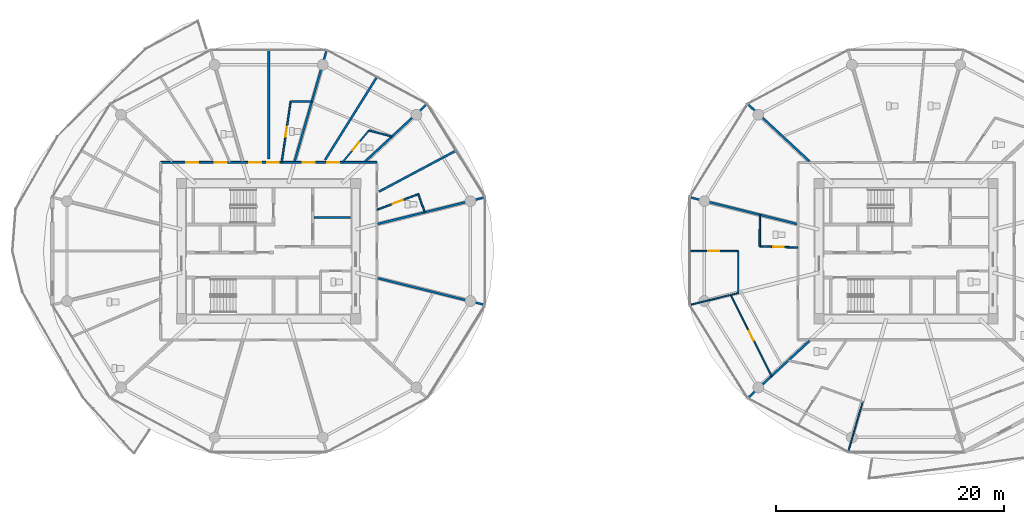
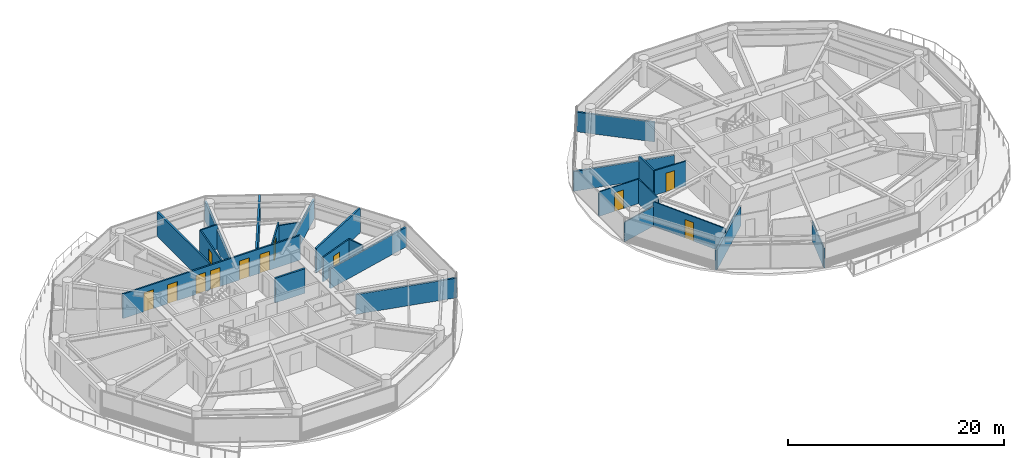
# One storey, part 17 of 27: 25 walls, 12 doors, 12 openings.
"""IFC4 building model written with IfcOpenShell, lengths in metres."""

from ifc_helpers import new_model, si_unit, direction, frame, frame_2d, origin, place, context, subcontext, project, spatial, rectangle, extrude, source, transform, mapped, material, layer, layer_set, type_object, type_shapes, element, fill, save


model = new_model("IFC4")

# Units and contexts
model_context = context("Model", 3, precision=1e-05, world=origin(), true_north=direction((0.0, 1.0)))
body_context = subcontext(model_context, "Body", "Model", "MODEL_VIEW")
ifc_project = project(units=[si_unit("LENGTHUNIT", "METRE"), si_unit("AREAUNIT", "SQUARE_METRE"), si_unit("VOLUMEUNIT", "CUBIC_METRE"), si_unit("PLANEANGLEUNIT", "RADIAN"), si_unit("MASSUNIT", "GRAM", prefix="KILO")], contexts=[model_context])

# Site, building, storey
site_placement = place(None, origin())
site = spatial("IfcSite", under=ifc_project, at=site_placement, CompositionType="ELEMENT")
building_placement = place(site_placement, origin())
building = spatial("IfcBuilding", under=site, at=building_placement, Name="Norrkilde Senior Care Towers", CompositionType="ELEMENT")
storey_placement = place(building_placement, frame((0.0, 0.0, 36.85009765625)))
storey = spatial("IfcBuildingStorey", under=building, at=storey_placement, Name="L10", CompositionType="ELEMENT", Elevation=36.85009765625)

# Wall
ifc_material_1 = material(Name="Concrete C45/55", Category="concrete")
ifc_layer_1 = layer(ifc_material_1, 0.199951171875)
ifc_layer_set_1 = layer_set([ifc_layer_1], Name="Concrete C45/55")
wall_type_1 = type_object("IfcWallType", Name="Shaft Division and Plant Partition 200", PredefinedType="PARTITIONING", material=ifc_layer_set_1)
shared_shape_1 = source(origin(), body_context, "Body", "SweptSolid", [
    extrude(rectangle(XDim=3.199951171875, YDim=0.199951171875, at=frame_2d((1.60009765625, 0.0))), origin(), (0.0, 0.0, 1.0), 2.77490234375),
])
type_shapes(wall_type_1, [shared_shape_1])
wall_1_placement = place(storey_placement, frame((-24.0, 2.949951171875, 0.0), z_axis=(0.0, 0.0, 1.0), x_axis=(1.0, 0.0, 0.0)))
element("IfcWall", 1, at=wall_1_placement, inside=storey, type_object=wall_type_1, Name="WL-INT-L10-W-FFLDIV", PredefinedType="PARTITIONING", context=body_context, shape_type="MappedRepresentation", body=[
    mapped(shared_shape_1, transform((0.0, 0.0, 0.0), x_axis=(1.0, 0.0, 0.0), y_axis=(0.0, 1.0, 0.0), z_axis=(0.0, 0.0, 1.0), scale=1.0)),
])

# Wall, openings, doors
ifc_material_2 = material(Name="Gypsum Acoustic Board")
ifc_layer_2 = layer(ifc_material_2, 0.1650390625)
ifc_layer_set_2 = layer_set([ifc_layer_2], Name="Gypsum Acoustic Board")
wall_type_2 = type_object("IfcWallType", Name="Corridor Rated Partition 165", PredefinedType="PARTITIONING", material=ifc_layer_set_2)
shared_shape_2 = source(origin(), body_context, "Body", "SweptSolid", [
    extrude(rectangle(XDim=19.0, YDim=0.1650390625, at=frame_2d((9.5, 0.0))), origin(), (0.0, 0.0, 1.0), 2.77490234375),
])
type_shapes(wall_type_2, [shared_shape_2])
wall_2_placement = place(storey_placement, frame((-37.5, 7.800048828125, 0.0), z_axis=(0.0, 0.0, 1.0), x_axis=(1.0, 0.0, 0.0)))
wall_2 = element("IfcWall", 2, at=wall_2_placement, inside=storey, type_object=wall_type_2, Name="WL-INT-L10-W-CRW-N-0", PredefinedType="PARTITIONING", context=body_context, shape_type="MappedRepresentation", body=[
    mapped(shared_shape_2, transform((0.0, 0.0, 0.0), x_axis=(1.0, 0.0, 0.0), y_axis=(0.0, 1.0, 0.0), z_axis=(0.0, 0.0, 1.0), scale=1.0)),
])
opening_1_placement = place(wall_2_placement, frame((9.351806640625, 0.0, 0.0)))
opening_1 = element("IfcOpeningElement", 3, at=opening_1_placement, cuts=wall_2, Name="Opening D-06", PredefinedType="OPENING", context=body_context, shape_type="SweptSolid", body=[
    extrude(rectangle(XDim=1.050048828125, YDim=2.14990234375, at=frame_2d((0.52490234375, 1.074951171875))), frame((0.0, 0.092529296875, 0.0), z_axis=(0.0, -1.0, 0.0), x_axis=(1.0, 0.0, 0.0)), (0.0, 0.0, 1.0), 0.18505859375),
])
opening_2_placement = place(wall_2_placement, frame((7.806396484375, 0.0, 0.0)))
opening_2 = element("IfcOpeningElement", 4, at=opening_2_placement, cuts=wall_2, Name="Opening D-06", PredefinedType="OPENING", context=body_context, shape_type="SweptSolid", body=[
    extrude(rectangle(XDim=1.050048828125, YDim=2.14990234375, at=frame_2d((0.52490234375, 1.074951171875))), frame((0.0, 0.092529296875, 0.0), z_axis=(0.0, -1.0, 0.0), x_axis=(1.0, 0.0, 0.0)), (0.0, 0.0, 1.0), 0.18505859375),
])
opening_3_placement = place(wall_2_placement, frame((4.77294921875, 0.0, 0.0)))
opening_3 = element("IfcOpeningElement", 5, at=opening_3_placement, cuts=wall_2, Name="Opening D-06", PredefinedType="OPENING", context=body_context, shape_type="SweptSolid", body=[
    extrude(rectangle(XDim=1.050048828125, YDim=2.14990234375, at=frame_2d((0.52490234375, 1.074951171875))), frame((0.0, 0.092529296875, 0.0), z_axis=(0.0, -1.0, 0.0), x_axis=(1.0, 0.0, 0.0)), (0.0, 0.0, 1.0), 0.18505859375),
])
opening_4_placement = place(wall_2_placement, frame((2.251220703125, 0.0, 0.0)))
opening_4 = element("IfcOpeningElement", 6, at=opening_4_placement, cuts=wall_2, Name="Opening D-06", PredefinedType="OPENING", context=body_context, shape_type="SweptSolid", body=[
    extrude(rectangle(XDim=1.050048828125, YDim=2.14990234375, at=frame_2d((0.52490234375, 1.074951171875))), frame((0.0, 0.092529296875, 0.0), z_axis=(0.0, -1.0, 0.0), x_axis=(1.0, 0.0, 0.0)), (0.0, 0.0, 1.0), 0.18505859375),
])
opening_5_placement = place(wall_2_placement, frame((14.6533203125, 0.0, 0.0)))
opening_5 = element("IfcOpeningElement", 7, at=opening_5_placement, cuts=wall_2, Name="Opening D-06", PredefinedType="OPENING", context=body_context, shape_type="SweptSolid", body=[
    extrude(rectangle(XDim=1.050048828125, YDim=2.14990234375, at=frame_2d((0.52490234375, 1.074951171875))), frame((0.0, 0.092529296875, 0.0), z_axis=(0.0, -1.0, 0.0), x_axis=(1.0, 0.0, 0.0)), (0.0, 0.0, 1.0), 0.18505859375),
])
opening_6_placement = place(wall_2_placement, frame((12.499755859375, 0.0, 0.0)))
opening_6 = element("IfcOpeningElement", 8, at=opening_6_placement, cuts=wall_2, Name="Opening D-06", PredefinedType="OPENING", context=body_context, shape_type="SweptSolid", body=[
    extrude(rectangle(XDim=1.050048828125, YDim=2.14990234375, at=frame_2d((0.52490234375, 1.074951171875))), frame((0.0, 0.092529296875, 0.0), z_axis=(0.0, -1.0, 0.0), x_axis=(1.0, 0.0, 0.0)), (0.0, 0.0, 1.0), 0.18505859375),
])
ifc_material_3 = material(Name="Nordic Ash Timber", Category="wood")
door_type_1 = type_object("IfcDoorType", Name="Apartment Entrance Fire Door 1050x2150", OperationType="NOTDEFINED", PredefinedType="DOOR", material=ifc_material_3)
shared_shape_3 = source(origin(), body_context, "Body", "SweptSolid", [
    extrude(rectangle(XDim=1.050048828125, YDim=2.14990234375, at=frame_2d((0.52490234375, 1.074951171875))), frame((0.0, 0.02490234375, 0.0), z_axis=(0.0, -1.0, 0.0), x_axis=(1.0, 0.0, 0.0)), (0.0, 0.0, 1.0), 0.050048828125),
])
type_shapes(door_type_1, [shared_shape_3])
door_1_placement = place(opening_1_placement, frame((1.050048828125, 0.0, 0.0), z_axis=(0.0, 0.0, 1.0), x_axis=(-1.0, 0.0, 0.0)))
door_1 = element("IfcDoor", 9, at=door_1_placement, inside=storey, type_object=door_type_1, Name="L10 Care Suite 1002A Entrance Door", OperationType="SINGLE_SWING_LEFT", OverallHeight=2.14990234375, OverallWidth=1.050048828125, PredefinedType="DOOR", context=body_context, shape_type="MappedRepresentation", body=[
    mapped(shared_shape_3, transform((0.0, 0.0, 0.0), x_axis=(1.0, 0.0, 0.0), y_axis=(0.0, 1.0, 0.0), z_axis=(0.0, 0.0, 1.0), scale=1.0)),
])
fill(opening_1, door_1)
door_2_placement = place(opening_2_placement, frame((1.050048828125, 0.0, 0.0), z_axis=(0.0, 0.0, 1.0), x_axis=(-1.0, 0.0, 0.0)))
door_2 = element("IfcDoor", 10, at=door_2_placement, inside=storey, type_object=door_type_1, Name="L10 Therapy Day Lounge 02 Door", OperationType="SINGLE_SWING_RIGHT", OverallHeight=2.14990234375, OverallWidth=1.050048828125, PredefinedType="DOOR", context=body_context, shape_type="MappedRepresentation", body=[
    mapped(shared_shape_3, transform((0.0, 0.0, 0.0), x_axis=(1.0, 0.0, 0.0), y_axis=(0.0, 1.0, 0.0), z_axis=(0.0, 0.0, 1.0), scale=1.0)),
])
fill(opening_2, door_2)
door_3_placement = place(opening_3_placement, frame((1.050048828125, 0.0, 0.0), z_axis=(0.0, 0.0, 1.0), x_axis=(-1.0, 0.0, 0.0)))
door_3 = element("IfcDoor", 11, at=door_3_placement, inside=storey, type_object=door_type_1, Name="L10 Care Suite 1003A Entrance Door", OperationType="SINGLE_SWING_RIGHT", OverallHeight=2.14990234375, OverallWidth=1.050048828125, PredefinedType="DOOR", context=body_context, shape_type="MappedRepresentation", body=[
    mapped(shared_shape_3, transform((0.0, 0.0, 0.0), x_axis=(1.0, 0.0, 0.0), y_axis=(0.0, 1.0, 0.0), z_axis=(0.0, 0.0, 1.0), scale=1.0)),
])
fill(opening_3, door_3)
door_4_placement = place(opening_4_placement, frame((1.050048828125, 0.0, 0.0), z_axis=(0.0, 0.0, 1.0), x_axis=(-1.0, 0.0, 0.0)))
door_4 = element("IfcDoor", 12, at=door_4_placement, inside=storey, type_object=door_type_1, Name="L10 Therapy Day Lounge 03 Door", OperationType="SINGLE_SWING_LEFT", OverallHeight=2.14990234375, OverallWidth=1.050048828125, PredefinedType="DOOR", context=body_context, shape_type="MappedRepresentation", body=[
    mapped(shared_shape_3, transform((0.0, 0.0, 0.0), x_axis=(1.0, 0.0, 0.0), y_axis=(0.0, 1.0, 0.0), z_axis=(0.0, 0.0, 1.0), scale=1.0)),
])
fill(opening_4, door_4)
door_5_placement = place(opening_5_placement, frame((1.050048828125, 0.0, 0.0), z_axis=(0.0, 0.0, 1.0), x_axis=(-1.0, 0.0, 0.0)))
door_5 = element("IfcDoor", 13, at=door_5_placement, inside=storey, type_object=door_type_1, Name="L10 Care Suite 1001A Entrance Door", OperationType="SINGLE_SWING_RIGHT", OverallHeight=2.14990234375, OverallWidth=1.050048828125, PredefinedType="DOOR", context=body_context, shape_type="MappedRepresentation", body=[
    mapped(shared_shape_3, transform((0.0, 0.0, 0.0), x_axis=(1.0, 0.0, 0.0), y_axis=(0.0, 1.0, 0.0), z_axis=(0.0, 0.0, 1.0), scale=1.0)),
])
fill(opening_5, door_5)
door_6_placement = place(opening_6_placement, frame((1.050048828125, 0.0, 0.0), z_axis=(0.0, 0.0, 1.0), x_axis=(-1.0, 0.0, 0.0)))
door_6 = element("IfcDoor", 14, at=door_6_placement, inside=storey, type_object=door_type_1, Name="L10 Therapy Day Lounge 01 Door", OperationType="SINGLE_SWING_LEFT", OverallHeight=2.14990234375, OverallWidth=1.050048828125, PredefinedType="DOOR", context=body_context, shape_type="MappedRepresentation", body=[
    mapped(shared_shape_3, transform((0.0, 0.0, 0.0), x_axis=(1.0, 0.0, 0.0), y_axis=(0.0, 1.0, 0.0), z_axis=(0.0, 0.0, 1.0), scale=1.0)),
])
fill(opening_6, door_6)

# Walls
ifc_layer_3 = layer(ifc_material_2, 0.18994140625)
ifc_layer_set_3 = layer_set([ifc_layer_3], Name="Gypsum Acoustic Board")
wall_type_3 = type_object("IfcWallType", Name="Unit Demising Acoustic Wall 190", PredefinedType="PARTITIONING", material=ifc_layer_set_3)
shared_shape_4 = source(origin(), body_context, "Body", "SweptSolid", [
    extrude(rectangle(XDim=7.4345703125, YDim=0.18994140625, at=frame_2d((3.71728515625, 0.0))), origin(), (0.0, 0.0, 1.0), 2.224853515625),
])
for number, where, z_axis, x_axis, name in (
    (15, (-19.51708984375, 7.8798828125, 0.0), (0.0, 0.0, 1.0), (0.732651956848, 0.680603489652, 0.0), "WL-INT-L10-W-DEM-01-0"),
    (16, (19.51708984375, 7.8798828125, 0.0), (0.0, 0.0, 1.0), (-0.732651956848, 0.680603489652, 0.0), "WL-INT-L10-E-DEM-04-0"),
    (17, (19.51708984375, -7.8798828125, 0.0), (0.0, 0.0, 1.0), (-0.732651956848, -0.680603489652, 0.0), "WL-INT-L10-E-DEM-07-0"),
):
    element("IfcWall", number, at=place(storey_placement, frame(where, z_axis=z_axis, x_axis=x_axis)), inside=storey, type_object=wall_type_3, Name=name, PredefinedType="PARTITIONING", context=body_context, shape_type="MappedRepresentation", body=[
        mapped(shared_shape_4, transform((0.0, 0.0, 0.0), x_axis=(1.0, 0.0, 0.0), y_axis=(0.0, 1.0, 0.0), z_axis=(0.0, 0.0, 1.0), scale=1.0)),
    ])
shared_shape_5 = source(origin(), body_context, "Body", "SweptSolid", [
    extrude(rectangle(XDim=10.196044921875, YDim=0.18994140625, at=frame_2d((5.09814453125, 0.0))), origin(), (0.0, 0.0, 1.0), 2.224853515625),
])
wall_3_placement = place(storey_placement, frame((-25.72705078125, 7.8798828125, 0.0), z_axis=(0.0, 0.0, 1.0), x_axis=(0.277136420347, 0.960830580549, 0.0)))
element("IfcWall", 18, at=wall_3_placement, inside=storey, type_object=wall_type_3, Name="WL-INT-L10-W-DEM-02-0", PredefinedType="PARTITIONING", context=body_context, shape_type="MappedRepresentation", body=[
    mapped(shared_shape_5, transform((0.0, 0.0, 0.0), x_axis=(1.0, 0.0, 0.0), y_axis=(0.0, 1.0, 0.0), z_axis=(0.0, 0.0, 1.0), scale=1.0)),
])
shared_shape_6 = source(origin(), body_context, "Body", "SweptSolid", [
    extrude(rectangle(XDim=8.59814453125, YDim=0.18994140625, at=frame_2d((4.299072265625, 0.0))), origin(), (0.0, 0.0, 1.0), 2.77490234375),
])
wall_4_placement = place(storey_placement, frame((-23.04296875, 8.017333984375, 0.0), z_axis=(0.0, 0.0, 1.0), x_axis=(0.530039776395, 0.847972779893, 0.0)))
element("IfcWall", 19, at=wall_4_placement, inside=storey, type_object=wall_type_3, Name="WL-INT-L10-W-CMID-01", PredefinedType="PARTITIONING", context=body_context, shape_type="MappedRepresentation", body=[
    mapped(shared_shape_6, transform((0.0, 0.0, 0.0), x_axis=(1.0, 0.0, 0.0), y_axis=(0.0, 1.0, 0.0), z_axis=(0.0, 0.0, 1.0), scale=1.0)),
])

# Wall, opening, door
ifc_layer_4 = layer(ifc_material_2, 0.139892578125)
ifc_layer_set_4 = layer_set([ifc_layer_4], Name="Gypsum Acoustic Board")
wall_type_4 = type_object("IfcWallType", Name="En-suite Wet Room Wall 140", PredefinedType="PARTITIONING", material=ifc_layer_set_4)
shared_shape_7 = source(origin(), body_context, "Body", "SweptSolid", [
    extrude(rectangle(XDim=3.594482421875, YDim=0.139892578125, at=frame_2d((1.79736328125, 0.0))), origin(), (0.0, 0.0, 1.0), 2.77490234375),
])
wall_5_placement = place(storey_placement, frame((-21.49560546875, 7.830078125, 0.0), z_axis=(0.0, 0.0, 1.0), x_axis=(0.639001147083, 0.769205781326, 0.0)))
wall_5 = element("IfcWall", 20, at=wall_5_placement, inside=storey, type_object=wall_type_4, Name="WL-INT-L10-W-ES-01A", PredefinedType="PARTITIONING", context=body_context, shape_type="MappedRepresentation", body=[
    mapped(shared_shape_7, transform((0.0, 0.0, 0.0), x_axis=(1.0, 0.0, 0.0), y_axis=(0.0, 1.0, 0.0), z_axis=(0.0, 0.0, 1.0), scale=1.0)),
])
opening_7_placement = place(wall_5_placement, frame((1.33740234375, 0.0, 0.0)))
opening_7 = element("IfcOpeningElement", 21, at=opening_7_placement, cuts=wall_5, Name="Opening D-08", PredefinedType="OPENING", context=body_context, shape_type="SweptSolid", body=[
    extrude(rectangle(XDim=0.919921875, YDim=2.10009765625, at=frame_2d((0.4599609375, 1.050048828125))), frame((0.0, 0.079833984375, 0.0), z_axis=(0.0, -1.0, 0.0), x_axis=(1.0, 0.0, 0.0)), (0.0, 0.0, 1.0), 0.159912109375),
])
door_type_2 = type_object("IfcDoorType", Name="Accessible Wet Room Door 920x2100", OperationType="NOTDEFINED", PredefinedType="DOOR", material=ifc_material_3)
shared_shape_8 = source(origin(), body_context, "Body", "SweptSolid", [
    extrude(rectangle(XDim=0.919921875, YDim=2.10009765625, at=frame_2d((0.4599609375, 1.050048828125))), frame((0.0, 0.02490234375, 0.0), z_axis=(0.0, -1.0, 0.0), x_axis=(1.0, 0.0, 0.0)), (0.0, 0.0, 1.0), 0.050048828125),
])
type_shapes(door_type_2, [shared_shape_8])
door_7_placement = place(opening_7_placement, origin())
door_7 = element("IfcDoor", 22, at=door_7_placement, inside=storey, type_object=door_type_2, Name="L10 Care Suite 1001A Bathroom Door", OperationType="SINGLE_SWING_LEFT", OverallHeight=2.10009765625, OverallWidth=0.919921875, PredefinedType="DOOR", context=body_context, shape_type="MappedRepresentation", body=[
    mapped(shared_shape_8, transform((0.0, 0.0, 0.0), x_axis=(1.0, 0.0, 0.0), y_axis=(0.0, 1.0, 0.0), z_axis=(0.0, 0.0, 1.0), scale=1.0)),
])
fill(opening_7, door_7)

# Walls
shared_shape_9 = source(origin(), body_context, "Body", "SweptSolid", [
    extrude(rectangle(XDim=2.06201171875, YDim=0.139892578125, at=frame_2d((1.031005859375, 0.0))), origin(), (0.0, 0.0, 1.0), 2.414794921875),
])
wall_6_placement = place(storey_placement, frame((-19.19873046875, 10.594970703125, 0.0), z_axis=(0.0, 0.0, 1.0), x_axis=(0.968776253543, -0.247936626121, 0.0)))
element("IfcWall", 23, at=wall_6_placement, inside=storey, type_object=wall_type_4, Name="WL-INT-L10-W-EF-01A", PredefinedType="PARTITIONING", context=body_context, shape_type="MappedRepresentation", body=[
    mapped(shared_shape_9, transform((0.0, 0.0, 0.0), x_axis=(1.0, 0.0, 0.0), y_axis=(0.0, 1.0, 0.0), z_axis=(0.0, 0.0, 1.0), scale=1.0)),
])
shared_shape_10 = source(origin(), body_context, "Body", "SweptSolid", [
    extrude(rectangle(XDim=9.737060546875, YDim=0.18994140625, at=frame_2d((4.86865234375, 0.0))), origin(), (0.0, 0.0, 1.0), 2.224853515625),
])
for number, where, z_axis, x_axis, name in (
    (24, (-18.419921875, -2.384521484375, 0.0), (0.0, 0.0, 1.0), (0.970392716238, -0.241532557375, 0.0), "WL-INT-L10-W-DEM-11-0"),
    (25, (-18.419921875, 2.384521484375, 0.0), (0.0, 0.0, 1.0), (0.970392716238, 0.241532557375, 0.0), "WL-INT-L10-W-DEM-00-0"),
    (26, (18.419921875, 2.384521484375, 0.0), (0.0, 0.0, 1.0), (-0.970392716238, 0.241532557375, 0.0), "WL-INT-L10-E-DEM-05-0"),
):
    element("IfcWall", number, at=place(storey_placement, frame(where, z_axis=z_axis, x_axis=x_axis)), inside=storey, type_object=wall_type_3, Name=name, PredefinedType="PARTITIONING", context=body_context, shape_type="MappedRepresentation", body=[
        mapped(shared_shape_10, transform((0.0, 0.0, 0.0), x_axis=(1.0, 0.0, 0.0), y_axis=(0.0, 1.0, 0.0), z_axis=(0.0, 0.0, 1.0), scale=1.0)),
    ])
shared_shape_11 = source(origin(), body_context, "Body", "SweptSolid", [
    extrude(rectangle(XDim=7.6767578125, YDim=0.18994140625, at=frame_2d((3.83837890625, 0.0))), origin(), (0.0, 0.0, 1.0), 2.77490234375),
])
wall_7_placement = place(storey_placement, frame((-18.296875, 5.23095703125, 0.0), z_axis=(0.0, 0.0, 1.0), x_axis=(0.882725057546, 0.469889851753, 0.0)))
element("IfcWall", 27, at=wall_7_placement, inside=storey, type_object=wall_type_3, Name="WL-INT-L10-W-CMID-00", PredefinedType="PARTITIONING", context=body_context, shape_type="MappedRepresentation", body=[
    mapped(shared_shape_11, transform((0.0, 0.0, 0.0), x_axis=(1.0, 0.0, 0.0), y_axis=(0.0, 1.0, 0.0), z_axis=(0.0, 0.0, 1.0), scale=1.0)),
])

# Wall, opening, door
shared_shape_12 = source(origin(), body_context, "Body", "SweptSolid", [
    extrude(rectangle(XDim=3.8740234375, YDim=0.139892578125, at=frame_2d((1.93701171875, 0.0))), origin(), (0.0, 0.0, 1.0), 2.77490234375),
])
wall_8_placement = place(storey_placement, frame((-18.469970703125, 3.631591796875, 0.0), z_axis=(0.0, 0.0, 1.0), x_axis=(0.934461775659, 0.35606346321, 0.0)))
wall_8 = element("IfcWall", 28, at=wall_8_placement, inside=storey, type_object=wall_type_4, Name="WL-INT-L10-W-ES-00A", PredefinedType="PARTITIONING", context=body_context, shape_type="MappedRepresentation", body=[
    mapped(shared_shape_12, transform((0.0, 0.0, 0.0), x_axis=(1.0, 0.0, 0.0), y_axis=(0.0, 1.0, 0.0), z_axis=(0.0, 0.0, 1.0), scale=1.0)),
])
opening_8_placement = place(wall_8_placement, frame((1.47705078125, 0.0, 0.0)))
opening_8 = element("IfcOpeningElement", 29, at=opening_8_placement, cuts=wall_8, Name="Opening D-08", PredefinedType="OPENING", context=body_context, shape_type="SweptSolid", body=[
    extrude(rectangle(XDim=0.919921875, YDim=2.10009765625, at=frame_2d((0.4599609375, 1.050048828125))), frame((0.0, 0.079833984375, 0.0), z_axis=(0.0, -1.0, 0.0), x_axis=(1.0, 0.0, 0.0)), (0.0, 0.0, 1.0), 0.159912109375),
])
door_8_placement = place(opening_8_placement, origin())
door_8 = element("IfcDoor", 30, at=door_8_placement, inside=storey, type_object=door_type_2, Name="L10 Care Suite 1000A Bathroom Door", OperationType="SINGLE_SWING_RIGHT", OverallHeight=2.10009765625, OverallWidth=0.919921875, PredefinedType="DOOR", context=body_context, shape_type="MappedRepresentation", body=[
    mapped(shared_shape_8, transform((0.0, 0.0, 0.0), x_axis=(1.0, 0.0, 0.0), y_axis=(0.0, 1.0, 0.0), z_axis=(0.0, 0.0, 1.0), scale=1.0)),
])
fill(opening_8, door_8)

# Wall
shared_shape_13 = source(origin(), body_context, "Body", "SweptSolid", [
    extrude(rectangle(XDim=1.67578125, YDim=0.139892578125, at=frame_2d((0.837890625, 0.0))), origin(), (0.0, 0.0, 1.0), 2.77490234375),
])
wall_9_placement = place(storey_placement, frame((-14.849853515625, 5.010986328125, 0.0), z_axis=(0.0, 0.0, 1.0), x_axis=(0.327785970556, -0.944752008469, 0.0)))
element("IfcWall", 31, at=wall_9_placement, inside=storey, type_object=wall_type_4, Name="WL-INT-L10-W-EF-00A", PredefinedType="PARTITIONING", context=body_context, shape_type="MappedRepresentation", body=[
    mapped(shared_shape_13, transform((0.0, 0.0, 0.0), x_axis=(1.0, 0.0, 0.0), y_axis=(0.0, 1.0, 0.0), z_axis=(0.0, 0.0, 1.0), scale=1.0)),
])

# Wall, opening, door
ifc_layer_5 = layer(ifc_material_2, 0.114990234375)
ifc_layer_set_5 = layer_set([ifc_layer_5], Name="Gypsum Acoustic Board")
wall_type_5 = type_object("IfcWallType", Name="Internal Room Partition 115", PredefinedType="PARTITIONING", material=ifc_layer_set_5)
shared_shape_14 = source(origin(), body_context, "Body", "SweptSolid", [
    extrude(rectangle(XDim=8.017822265625, YDim=0.114990234375, at=frame_2d((4.0087890625, 0.0))), origin(), (0.0, 0.0, 1.0), 2.77490234375),
])
wall_10_placement = place(storey_placement, frame((12.595947265625, -3.854248046875, 0.0), z_axis=(0.0, 0.0, 1.0), x_axis=(0.450134355233, -0.89296084026, 0.0)))
wall_10 = element("IfcWall", 32, at=wall_10_placement, inside=storey, type_object=wall_type_5, Name="WL-INT-L10-E-UBC-05-1", PredefinedType="PARTITIONING", context=body_context, shape_type="MappedRepresentation", body=[
    mapped(shared_shape_14, transform((0.0, 0.0, 0.0), x_axis=(1.0, 0.0, 0.0), y_axis=(0.0, 1.0, 0.0), z_axis=(0.0, 0.0, 1.0), scale=1.0)),
])
opening_9_placement = place(wall_10_placement, frame((3.533935546875, 0.0, 0.0)))
opening_9 = element("IfcOpeningElement", 33, at=opening_9_placement, cuts=wall_10, Name="Opening D-07", PredefinedType="OPENING", context=body_context, shape_type="SweptSolid", body=[
    extrude(rectangle(XDim=0.949951171875, YDim=2.10009765625, at=frame_2d((0.47509765625, 1.050048828125))), frame((0.0, 0.0673828125, 0.0), z_axis=(0.0, -1.0, 0.0), x_axis=(1.0, 0.0, 0.0)), (0.0, 0.0, 1.0), 0.135009765625),
])
door_type_3 = type_object("IfcDoorType", Name="Internal Suite Bedroom Door 950x2100", OperationType="NOTDEFINED", PredefinedType="DOOR", material=ifc_material_3)
shared_shape_15 = source(origin(), body_context, "Body", "SweptSolid", [
    extrude(rectangle(XDim=0.949951171875, YDim=2.10009765625, at=frame_2d((0.47509765625, 1.050048828125))), frame((0.0, 0.02490234375, 0.0), z_axis=(0.0, -1.0, 0.0), x_axis=(1.0, 0.0, 0.0)), (0.0, 0.0, 1.0), 0.050048828125),
])
type_shapes(door_type_3, [shared_shape_15])
door_9_placement = place(opening_9_placement, origin())
door_9 = element("IfcDoor", 34, at=door_9_placement, inside=storey, type_object=door_type_3, Name="Apartment 10D Bedroom 1 Door", OperationType="SINGLE_SWING_LEFT", OverallHeight=2.10009765625, OverallWidth=0.949951171875, PredefinedType="DOOR", context=body_context, shape_type="MappedRepresentation", body=[
    mapped(shared_shape_15, transform((0.0, 0.0, 0.0), x_axis=(1.0, 0.0, 0.0), y_axis=(0.0, 1.0, 0.0), z_axis=(0.0, 0.0, 1.0), scale=1.0)),
])
fill(opening_9, door_9)

shared_shape_16 = source(origin(), body_context, "Body", "SweptSolid", [
    extrude(rectangle(XDim=3.323486328125, YDim=0.139892578125, at=frame_2d((1.66162109375, 0.0))), origin(), (0.0, 0.0, 1.0), 2.77490234375),
])
wall_11_placement = place(storey_placement, frame((18.469970703125, 0.310791015625, 0.0), z_axis=(0.0, 0.0, 1.0), x_axis=(-0.999467979553, 0.032615300817, 0.0)))
wall_11 = element("IfcWall", 35, at=wall_11_placement, inside=storey, type_object=wall_type_4, Name="WL-INT-L10-E-UBTS-05", PredefinedType="PARTITIONING", context=body_context, shape_type="MappedRepresentation", body=[
    mapped(shared_shape_16, transform((0.0, 0.0, 0.0), x_axis=(1.0, 0.0, 0.0), y_axis=(0.0, 1.0, 0.0), z_axis=(0.0, 0.0, 1.0), scale=1.0)),
])
opening_10_placement = place(wall_11_placement, frame((1.201904296875, 0.0, 0.0)))
opening_10 = element("IfcOpeningElement", 36, at=opening_10_placement, cuts=wall_11, Name="Opening D-08", PredefinedType="OPENING", context=body_context, shape_type="SweptSolid", body=[
    extrude(rectangle(XDim=0.919921875, YDim=2.10009765625, at=frame_2d((0.4599609375, 1.050048828125))), frame((0.0, 0.079833984375, 0.0), z_axis=(0.0, -1.0, 0.0), x_axis=(1.0, 0.0, 0.0)), (0.0, 0.0, 1.0), 0.159912109375),
])
door_10_placement = place(opening_10_placement, origin())
door_10 = element("IfcDoor", 37, at=door_10_placement, inside=storey, type_object=door_type_2, Name="Apartment 10D Bathroom Door", OperationType="SINGLE_SWING_LEFT", OverallHeight=2.10009765625, OverallWidth=0.919921875, PredefinedType="DOOR", context=body_context, shape_type="MappedRepresentation", body=[
    mapped(shared_shape_8, transform((0.0, 0.0, 0.0), x_axis=(1.0, 0.0, 0.0), y_axis=(0.0, 1.0, 0.0), z_axis=(0.0, 0.0, 1.0), scale=1.0)),
])
fill(opening_10, door_10)

# Walls
shared_shape_17 = source(origin(), body_context, "Body", "SweptSolid", [
    extrude(rectangle(XDim=2.795166015625, YDim=0.139892578125, at=frame_2d((1.3974609375, 0.0))), origin(), (0.0, 0.0, 1.0), 2.77490234375),
])
wall_12_placement = place(storey_placement, frame((15.148193359375, 0.419189453125, 0.0), z_axis=(0.0, 0.0, 1.0), x_axis=(0.001659531299, 0.999998622977, 0.0)))
element("IfcWall", 38, at=wall_12_placement, inside=storey, type_object=wall_type_4, Name="WL-INT-L10-E-UBTF-05", PredefinedType="PARTITIONING", context=body_context, shape_type="MappedRepresentation", body=[
    mapped(shared_shape_17, transform((0.0, 0.0, 0.0), x_axis=(1.0, 0.0, 0.0), y_axis=(0.0, 1.0, 0.0), z_axis=(0.0, 0.0, 1.0), scale=1.0)),
])
shared_shape_18 = source(origin(), body_context, "Body", "SweptSolid", [
    extrude(rectangle(XDim=9.6005859375, YDim=0.18994140625, at=frame_2d((4.80029296875, 0.0))), origin(), (0.0, 0.0, 1.0), 2.77490234375),
])
type_shapes(wall_type_3, [shared_shape_4, shared_shape_5, shared_shape_6, shared_shape_10, shared_shape_11, shared_shape_18])
wall_13_placement = place(storey_placement, frame((-28.0, 8.075927734375, 0.0), z_axis=(0.0, 0.0, 1.0), x_axis=(0.0, 1.0, 0.0)))
element("IfcWall", 39, at=wall_13_placement, inside=storey, type_object=wall_type_3, Name="WL-INT-L10-W-CMID-02", PredefinedType="PARTITIONING", context=body_context, shape_type="MappedRepresentation", body=[
    mapped(shared_shape_18, transform((0.0, 0.0, 0.0), x_axis=(1.0, 0.0, 0.0), y_axis=(0.0, 1.0, 0.0), z_axis=(0.0, 0.0, 1.0), scale=1.0)),
])

# Wall, opening, door
shared_shape_19 = source(origin(), body_context, "Body", "SweptSolid", [
    extrude(rectangle(XDim=5.36962890625, YDim=0.139892578125, at=frame_2d((2.684814453125, 0.0))), origin(), (0.0, 0.0, 1.0), 2.77490234375),
])
wall_14_placement = place(storey_placement, frame((-26.851318359375, 7.830078125, 0.0), z_axis=(0.0, 0.0, 1.0), x_axis=(0.145131397853, 0.989412389935, 0.0)))
wall_14 = element("IfcWall", 40, at=wall_14_placement, inside=storey, type_object=wall_type_4, Name="WL-INT-L10-W-ES-02A", PredefinedType="PARTITIONING", context=body_context, shape_type="MappedRepresentation", body=[
    mapped(shared_shape_19, transform((0.0, 0.0, 0.0), x_axis=(1.0, 0.0, 0.0), y_axis=(0.0, 1.0, 0.0), z_axis=(0.0, 0.0, 1.0), scale=1.0)),
])
opening_11_placement = place(wall_14_placement, frame((2.224853515625, 0.0, 0.0)))
opening_11 = element("IfcOpeningElement", 41, at=opening_11_placement, cuts=wall_14, Name="Opening D-08", PredefinedType="OPENING", context=body_context, shape_type="SweptSolid", body=[
    extrude(rectangle(XDim=0.919921875, YDim=2.10009765625, at=frame_2d((0.4599609375, 1.050048828125))), frame((0.0, 0.079833984375, 0.0), z_axis=(0.0, -1.0, 0.0), x_axis=(1.0, 0.0, 0.0)), (0.0, 0.0, 1.0), 0.159912109375),
])
door_11_placement = place(opening_11_placement, origin())
door_11 = element("IfcDoor", 42, at=door_11_placement, inside=storey, type_object=door_type_2, Name="L10 Care Suite 1002A Bathroom Door", OperationType="SINGLE_SWING_RIGHT", OverallHeight=2.10009765625, OverallWidth=0.919921875, PredefinedType="DOOR", context=body_context, shape_type="MappedRepresentation", body=[
    mapped(shared_shape_8, transform((0.0, 0.0, 0.0), x_axis=(1.0, 0.0, 0.0), y_axis=(0.0, 1.0, 0.0), z_axis=(0.0, 0.0, 1.0), scale=1.0)),
])
fill(opening_11, door_11)

# Wall
shared_shape_20 = source(origin(), body_context, "Body", "SweptSolid", [
    extrude(rectangle(XDim=1.842529296875, YDim=0.139892578125, at=frame_2d((0.92138671875, 0.0))), origin(), (0.0, 0.0, 1.0), 2.77490234375),
])
type_shapes(wall_type_4, [shared_shape_7, shared_shape_9, shared_shape_12, shared_shape_13, shared_shape_16, shared_shape_17, shared_shape_19, shared_shape_20])
wall_15_placement = place(storey_placement, frame((-26.072021484375, 13.142822265625, 0.0), z_axis=(0.0, 0.0, 1.0), x_axis=(0.999998937801, -0.001457531246, 0.0)))
element("IfcWall", 43, at=wall_15_placement, inside=storey, type_object=wall_type_4, Name="WL-INT-L10-W-EF-02A", PredefinedType="PARTITIONING", context=body_context, shape_type="MappedRepresentation", body=[
    mapped(shared_shape_20, transform((0.0, 0.0, 0.0), x_axis=(1.0, 0.0, 0.0), y_axis=(0.0, 1.0, 0.0), z_axis=(0.0, 0.0, 1.0), scale=1.0)),
])

# Wall, opening, door
shared_shape_21 = source(origin(), body_context, "Body", "SweptSolid", [
    extrude(rectangle(XDim=4.27880859375, YDim=0.114990234375, at=frame_2d((2.139404296875, 0.0))), origin(), (0.0, 0.0, 1.0), 2.77490234375),
])
wall_16_placement = place(storey_placement, frame((13.25, 0.0, 0.0), z_axis=(0.0, 0.0, 1.0), x_axis=(-1.0, 0.0, 0.0)))
wall_16 = element("IfcWall", 44, at=wall_16_placement, inside=storey, type_object=wall_type_5, Name="WL-INT-L10-E-UKTS-05", PredefinedType="PARTITIONING", context=body_context, shape_type="MappedRepresentation", body=[
    mapped(shared_shape_21, transform((0.0, 0.0, 0.0), x_axis=(1.0, 0.0, 0.0), y_axis=(0.0, 1.0, 0.0), z_axis=(0.0, 0.0, 1.0), scale=1.0)),
])
opening_12_placement = place(wall_16_placement, frame((1.664306640625, 0.0, 0.0)))
opening_12 = element("IfcOpeningElement", 45, at=opening_12_placement, cuts=wall_16, Name="Opening D-07", PredefinedType="OPENING", context=body_context, shape_type="SweptSolid", body=[
    extrude(rectangle(XDim=0.949951171875, YDim=2.10009765625, at=frame_2d((0.47509765625, 1.050048828125))), frame((0.0, 0.0673828125, 0.0), z_axis=(0.0, -1.0, 0.0), x_axis=(1.0, 0.0, 0.0)), (0.0, 0.0, 1.0), 0.135009765625),
])
door_12_placement = place(opening_12_placement, frame((0.949951171875, 0.0, 0.0), z_axis=(0.0, 0.0, 1.0), x_axis=(-1.0, 0.0, 0.0)))
door_12 = element("IfcDoor", 46, at=door_12_placement, inside=storey, type_object=door_type_3, Name="Apartment 10D Kitchen Door", OperationType="SINGLE_SWING_RIGHT", OverallHeight=2.10009765625, OverallWidth=0.949951171875, PredefinedType="DOOR", context=body_context, shape_type="MappedRepresentation", body=[
    mapped(shared_shape_15, transform((0.0, 0.0, 0.0), x_axis=(1.0, 0.0, 0.0), y_axis=(0.0, 1.0, 0.0), z_axis=(0.0, 0.0, 1.0), scale=1.0)),
])
fill(opening_12, door_12)

# Walls
shared_shape_22 = source(origin(), body_context, "Body", "SweptSolid", [
    extrude(rectangle(XDim=3.688720703125, YDim=0.114990234375, at=frame_2d((1.84423828125, 0.0))), origin(), (0.0, 0.0, 1.0), 2.77490234375),
])
wall_17_placement = place(storey_placement, frame((13.25, 0.0, 0.0), z_axis=(0.0, 0.0, 1.0), x_axis=(0.001919382261, -0.999998157984, 0.0)))
element("IfcWall", 47, at=wall_17_placement, inside=storey, type_object=wall_type_5, Name="WL-INT-L10-E-UKTF-05", PredefinedType="PARTITIONING", context=body_context, shape_type="MappedRepresentation", body=[
    mapped(shared_shape_22, transform((0.0, 0.0, 0.0), x_axis=(1.0, 0.0, 0.0), y_axis=(0.0, 1.0, 0.0), z_axis=(0.0, 0.0, 1.0), scale=1.0)),
])
shared_shape_23 = source(origin(), body_context, "Body", "SweptSolid", [
    extrude(rectangle(XDim=4.4140625, YDim=0.114990234375, at=frame_2d((2.20703125, 0.0))), origin(), (0.0, 0.0, 1.0), 2.224853515625),
])
wall_18_placement = place(storey_placement, frame((13.259033203125, -3.688232421875, 0.0), z_axis=(0.0, 0.0, 1.0), x_axis=(-0.971401274504, -0.237443812073, 0.0)))
element("IfcWall", 48, at=wall_18_placement, inside=storey, type_object=wall_type_5, Name="WL-INT-L10-E-UBR-05-1", PredefinedType="PARTITIONING", context=body_context, shape_type="MappedRepresentation", body=[
    mapped(shared_shape_23, transform((0.0, 0.0, 0.0), x_axis=(1.0, 0.0, 0.0), y_axis=(0.0, 1.0, 0.0), z_axis=(0.0, 0.0, 1.0), scale=1.0)),
])
shared_shape_24 = source(origin(), body_context, "Body", "SweptSolid", [
    extrude(rectangle(XDim=4.62451171875, YDim=0.114990234375, at=frame_2d((2.312255859375, 0.0))), origin(), (0.0, 0.0, 1.0), 2.224853515625),
])
type_shapes(wall_type_5, [shared_shape_14, shared_shape_21, shared_shape_22, shared_shape_23, shared_shape_24])
wall_19_placement = place(storey_placement, frame((24.201171875, -13.238525390625, 0.0), z_axis=(0.0, 0.0, 1.0), x_axis=(-0.2810742844, -0.959686014616, 0.0)))
element("IfcWall", 49, at=wall_19_placement, inside=storey, type_object=wall_type_5, Name="WL-INT-L10-E-UBR-07-1", PredefinedType="PARTITIONING", context=body_context, shape_type="MappedRepresentation", body=[
    mapped(shared_shape_24, transform((0.0, 0.0, 0.0), x_axis=(1.0, 0.0, 0.0), y_axis=(0.0, 1.0, 0.0), z_axis=(0.0, 0.0, 1.0), scale=1.0)),
])

save(model, "model.ifc")
